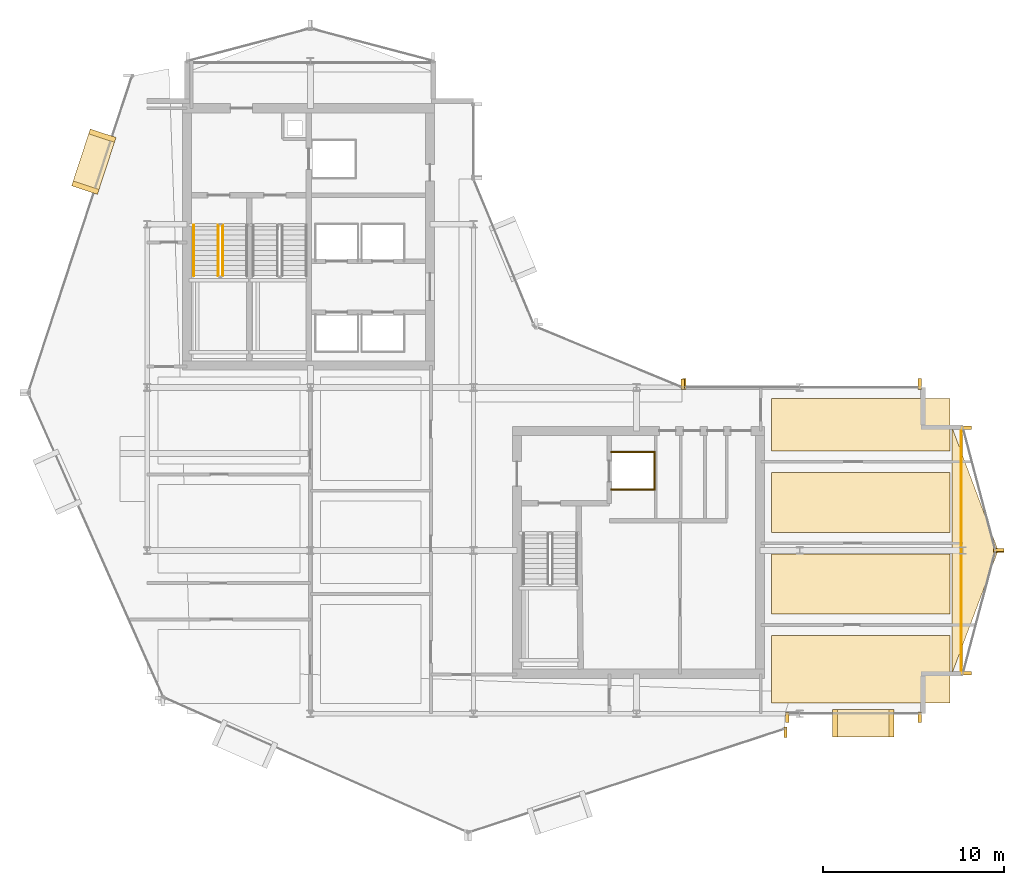
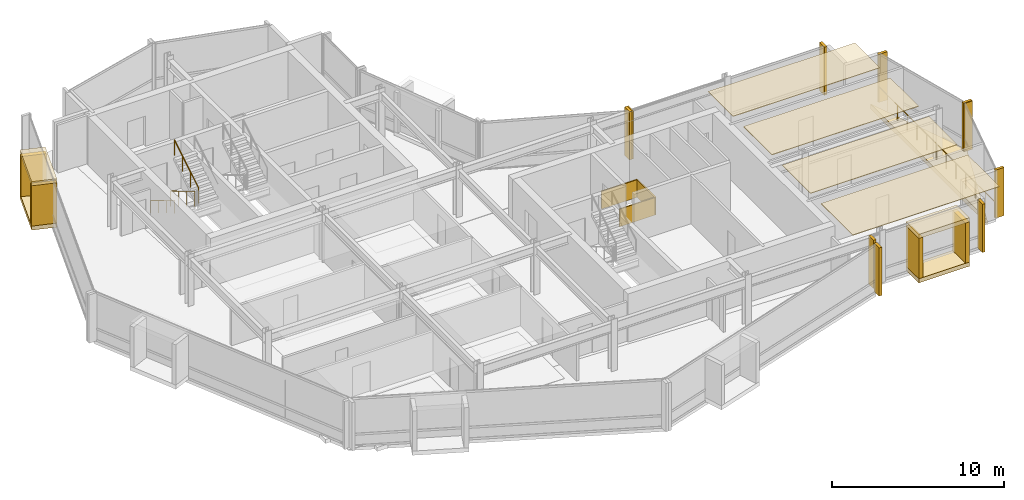
# One storey, part 27 of 28: 26 coverings, 4 railings.
"""IFC4 building model written with IfcOpenShell, lengths in metres."""

from ifc_helpers import new_model, si_unit, direction, frame, origin, origin_2d, place, context, subcontext, project, spatial, polyline, rectangle, circle, outline, extrude, material, layer, layer_set, type_object, element, save


model = new_model("IFC4")

# Units and contexts
model_context = context("Model", 3, precision=1e-05, world=origin(), true_north=direction((0.0, 1.0)))
body_context = subcontext(model_context, "Body", "Model", "MODEL_VIEW")
ifc_project = project(units=[si_unit("LENGTHUNIT", "METRE"), si_unit("AREAUNIT", "SQUARE_METRE"), si_unit("VOLUMEUNIT", "CUBIC_METRE"), si_unit("PLANEANGLEUNIT", "RADIAN"), si_unit("MASSUNIT", "GRAM", prefix="KILO")], contexts=[model_context])

# Site, building, storey
site_placement = place(None, origin())
site = spatial("IfcSite", under=ifc_project, at=site_placement, CompositionType="ELEMENT")
building_placement = place(site_placement, origin())
building = spatial("IfcBuilding", under=site, at=building_placement, Name="Solvaryn Broadcast Tower", CompositionType="ELEMENT")
storey_placement = place(building_placement, frame((0.0, 0.0, 213.60009765625)))
storey = spatial("IfcBuildingStorey", under=building, at=storey_placement, Name="L53", CompositionType="ELEMENT", Elevation=213.60009765625)

# Coverings
ifc_material_1 = material(Name="Micro-Perforated Acoustic Gypsum Ceiling", Category="concrete")
ifc_layer_1 = layer(ifc_material_1, 0.0400390625)
ifc_layer_set_1 = layer_set([ifc_layer_1], Name="CV-CEIL-ACOUSTIC")
covering_type_1 = type_object("IfcCoveringType", Name="CV-CEIL-ACOUSTIC", PredefinedType="CEILING", material=ifc_layer_set_1)
covering_1_placement = place(storey_placement, frame((0.0, 0.0, 3.3798828125)))
element("IfcCovering", 1, at=covering_1_placement, inside=storey, type_object=covering_type_1, Name="L53 Room Acoustic Ceiling 7", PredefinedType="CEILING", context=body_context, shape_type="SweptSolid", body=[
    extrude(outline(polyline([(43.449951171875, 9.60009765625), (53.300048828125, 9.60009765625), (53.300048828125, 13.300048828125), (43.449951171875, 13.300048828125), (43.449951171875, 9.60009765625)])), origin(), (0.0, 0.0, 1.0), 0.0400390625),
])
covering_2_placement = place(storey_placement, frame((0.0, 0.0, 3.3798828125)))
element("IfcCovering", 2, at=covering_2_placement, inside=storey, type_object=covering_type_1, Name="L53 Room Acoustic Ceiling 8", PredefinedType="CEILING", context=body_context, shape_type="SweptSolid", body=[
    extrude(outline(polyline([(43.449951171875, 14.5), (53.300048828125, 14.5), (53.300048828125, 17.800048828125), (43.449951171875, 17.800048828125), (43.449951171875, 14.5)])), origin(), (0.0, 0.0, 1.0), 0.0400390625),
])
covering_3_placement = place(storey_placement, frame((0.0, 0.0, 3.3798828125)))
element("IfcCovering", 3, at=covering_3_placement, inside=storey, type_object=covering_type_1, Name="L53 Room Acoustic Ceiling 9", PredefinedType="CEILING", context=body_context, shape_type="SweptSolid", body=[
    extrude(outline(polyline([(43.449951171875, 19.0), (53.300048828125, 19.0), (53.300048828125, 22.300048828125), (43.449951171875, 22.300048828125), (43.449951171875, 19.0)])), origin(), (0.0, 0.0, 1.0), 0.0400390625),
])
covering_4_placement = place(storey_placement, frame((0.0, 0.0, 3.3798828125)))
element("IfcCovering", 4, at=covering_4_placement, inside=storey, type_object=covering_type_1, Name="L53 Room Acoustic Ceiling 10", PredefinedType="CEILING", context=body_context, shape_type="SweptSolid", body=[
    extrude(outline(polyline([(43.449951171875, 23.5), (53.300048828125, 23.5), (53.300048828125, 26.39990234375), (43.449951171875, 26.39990234375), (43.449951171875, 23.5)])), origin(), (0.0, 0.0, 1.0), 0.0400390625),
])
ifc_material_2 = material(Name="Fire-Rated Gypsum Shaftwall Liner", Category="concrete")
ifc_layer_2 = layer(ifc_material_2, 0.080078125)
ifc_layer_set_2 = layer_set([ifc_layer_2], Name="CV-SHAFT-LINER")
covering_type_2 = type_object("IfcCoveringType", Name="CV-SHAFT-LINER", PredefinedType="CLADDING", material=ifc_layer_set_2)
for number, where, z_axis, x_axis, name in (
    (5, (35.800048828125, 23.43994140625, 0.0), (0.0, 0.0, 1.0), (1.0, 0.0, 0.0), "L53 FL2 Hoistway Shaft Liner North"),
    (6, (35.800048828125, 21.360107421875, 0.0), (0.0, 0.0, 1.0), (1.0, 0.0, 0.0), "L53 FL2 Hoistway Shaft Liner South"),
):
    element("IfcCovering", number, at=place(storey_placement, frame(where, z_axis=z_axis, x_axis=x_axis)), inside=storey, type_object=covering_type_2, Name=name, PredefinedType="CLADDING", context=body_context, shape_type="SweptSolid", body=[
        extrude(rectangle(XDim=2.4599609375, YDim=0.080078125, at=origin_2d()), origin(), (0.0, 0.0, 1.0), 1.25),
    ])
covering_5_placement = place(storey_placement, frame((36.989990234375, 22.39990234375, 0.0), z_axis=(0.0, 0.0, 1.0), x_axis=(1.0, 0.0, 0.0)))
element("IfcCovering", 7, at=covering_5_placement, inside=storey, type_object=covering_type_2, Name="L53 FL2 Hoistway Shaft Liner East", PredefinedType="CLADDING", context=body_context, shape_type="SweptSolid", body=[
    extrude(rectangle(XDim=0.080078125, YDim=2.159912109375, at=origin_2d()), origin(), (0.0, 0.0, 1.0), 1.25),
])
ifc_material_3 = material(Name="Glazed Architectural Terracotta Rainscreen Cladding", Category="masonry")
ifc_layer_3 = layer(ifc_material_3, 0.280029296875)
ifc_layer_set_3 = layer_set([ifc_layer_3], Name="CV-TC-CLAD")
covering_type_3 = type_object("IfcCoveringType", Name="CV-TC-CLAD", PredefinedType="CLADDING", material=ifc_layer_set_3)
for number, where, z_axis, x_axis, name in (
    (8, (6.054931640625, 39.4541015625, 3.1298828125), (0.0, 0.0, 1.0), (-0.311505792684, -0.950244253402, 0.0), "L53 Projecting Stone Window Box Hood 1"),
    (9, (6.054931640625, 39.4541015625, -0.01025390625), (0.0, 0.0, 1.0), (-0.311505792684, -0.950244253402, 0.0), "L53 Projecting Stone Window Box Sill 1"),
):
    element("IfcCovering", number, at=place(storey_placement, frame(where, z_axis=z_axis, x_axis=x_axis)), inside=storey, type_object=covering_type_3, Name=name, PredefinedType="CLADDING", context=body_context, shape_type="SweptSolid", body=[
        extrude(rectangle(XDim=3.300048828125, YDim=1.5, at=origin_2d()), origin(), (0.0, 0.0, 1.0), 0.300048828125),
    ])
for number, where, z_axis, x_axis, name in (
    (10, (6.525390625, 40.888916015625, 0.27978515625), (0.0, 0.0, 1.0), (-0.311505792684, -0.950244253402, 0.0), "L53 Projecting Stone Window Box Cheek 1-1"),
    (11, (5.584716796875, 38.01904296875, 0.27978515625), (0.0, 0.0, 1.0), (-0.311505792684, -0.950244253402, 0.0), "L53 Projecting Stone Window Box Cheek 1-2"),
):
    element("IfcCovering", number, at=place(storey_placement, frame(where, z_axis=z_axis, x_axis=x_axis)), inside=storey, type_object=covering_type_3, Name=name, PredefinedType="CLADDING", context=body_context, shape_type="SweptSolid", body=[
        extrude(rectangle(XDim=0.280029296875, YDim=1.5, at=origin_2d()), origin(), (0.0, 0.0, 1.0), 2.860107421875),
    ])
for number, where, z_axis, x_axis, name in (
    (12, (48.5, 8.469970703125, 3.1298828125), (0.0, 0.0, 1.0), (1.0, 0.0, 0.0), "L53 Projecting Stone Window Box Hood 6"),
    (13, (48.5, 8.469970703125, -0.01025390625), (0.0, 0.0, 1.0), (1.0, 0.0, 0.0), "L53 Projecting Stone Window Box Sill 6"),
):
    element("IfcCovering", number, at=place(storey_placement, frame(where, z_axis=z_axis, x_axis=x_axis)), inside=storey, type_object=covering_type_3, Name=name, PredefinedType="CLADDING", context=body_context, shape_type="SweptSolid", body=[
        extrude(rectangle(XDim=3.39990234375, YDim=1.5, at=origin_2d()), origin(), (0.0, 0.0, 1.0), 0.300048828125),
    ])
for number, where, z_axis, x_axis, name in (
    (14, (46.93994140625, 8.469970703125, 0.27978515625), (0.0, 0.0, 1.0), (1.0, 0.0, 0.0), "L53 Projecting Stone Window Box Cheek 6-1"),
    (15, (50.06005859375, 8.469970703125, 0.27978515625), (0.0, 0.0, 1.0), (1.0, 0.0, 0.0), "L53 Projecting Stone Window Box Cheek 6-2"),
):
    element("IfcCovering", number, at=place(storey_placement, frame(where, z_axis=z_axis, x_axis=x_axis)), inside=storey, type_object=covering_type_3, Name=name, PredefinedType="CLADDING", context=body_context, shape_type="SweptSolid", body=[
        extrude(rectangle(XDim=0.280029296875, YDim=1.5, at=origin_2d()), origin(), (0.0, 0.0, 1.0), 2.860107421875),
    ])
ifc_material_4 = material(Name="Extruded Architectural Terracotta Fin", Category="masonry")
ifc_layer_4 = layer(ifc_material_4, 0.179931640625)
ifc_layer_set_4 = layer_set([ifc_layer_4], Name="CV-TC-FIN")
covering_type_4 = type_object("IfcCoveringType", Name="CV-TC-FIN", PredefinedType="USERDEFINED", material=ifc_layer_set_4)
for number, where, z_axis, x_axis, name in (
    (16, (44.209716796875, 7.982666015625, 0.0), (0.0, 0.0, 1.0), (1.0, 0.0, 0.0), "L53 Terracotta Vertical Fin FIN-L53-DR4-M01"),
    (17, (38.541259765625, 27.177978515625, 0.0), (0.0, 0.0, 1.0), (1.0, 0.0, 0.0), "L53 Terracotta Vertical Fin FIN-L53-CN1-M00"),
    (18, (44.31201171875, 8.8125, 0.0), (0.0, 0.0, 1.0), (1.0, 0.0, 0.0), "L53 Terracotta Vertical Fin FIN-L53-S2-M00"),
    (19, (51.6201171875, 8.8125, 0.0), (0.0, 0.0, 1.0), (1.0, 0.0, 0.0), "L53 Terracotta Vertical Fin FIN-L53-S2-M01"),
):
    element("IfcCovering", number, at=place(storey_placement, frame(where, z_axis=z_axis, x_axis=x_axis)), inside=storey, type_object=covering_type_4, Name=name, ObjectType="FIN", PredefinedType="USERDEFINED", context=body_context, shape_type="SweptSolid", body=[
        extrude(rectangle(XDim=0.179931640625, YDim=0.580078125, at=origin_2d()), origin(), (0.0, 0.0, 1.0), 3.419921875),
    ])
for number, where, z_axis, x_axis, name in (
    (20, (54.1953125, 24.77099609375, 0.0), (0.0, 0.0, 1.0), (1.0, 0.0, 0.0), "L53 Terracotta Vertical Fin FIN-L53-ET1-M00"),
    (21, (55.979736328125, 18.029052734375, 0.0), (0.0, 0.0, 1.0), (1.0, 0.0, 0.0), "L53 Terracotta Vertical Fin FIN-L53-ET1-M01"),
    (22, (55.979736328125, 17.970947265625, 0.0), (0.0, 0.0, 1.0), (1.0, 0.0, 0.0), "L53 Terracotta Vertical Fin FIN-L53-ET2-M00"),
    (23, (54.1953125, 11.22900390625, 0.0), (0.0, 0.0, 1.0), (1.0, 0.0, 0.0), "L53 Terracotta Vertical Fin FIN-L53-ET2-M01"),
):
    element("IfcCovering", number, at=place(storey_placement, frame(where, z_axis=z_axis, x_axis=x_axis)), inside=storey, type_object=covering_type_4, Name=name, ObjectType="FIN", PredefinedType="USERDEFINED", context=body_context, shape_type="SweptSolid", body=[
        extrude(rectangle(XDim=0.580078125, YDim=0.179931640625, at=origin_2d()), origin(), (0.0, 0.0, 1.0), 3.419921875),
    ])
for number, where, z_axis, x_axis, name in (
    (24, (38.6298828125, 27.1875, 0.0), (0.0, 0.0, 1.0), (1.0, 0.0, 0.0), "L53 Terracotta Vertical Fin FIN-L53-IH-M00"),
    (25, (51.6201171875, 27.1875, 0.0), (0.0, 0.0, 1.0), (1.0, 0.0, 0.0), "L53 Terracotta Vertical Fin FIN-L53-IH-M01"),
):
    element("IfcCovering", number, at=place(storey_placement, frame(where, z_axis=z_axis, x_axis=x_axis)), inside=storey, type_object=covering_type_4, Name=name, ObjectType="FIN", PredefinedType="USERDEFINED", context=body_context, shape_type="SweptSolid", body=[
        extrude(rectangle(XDim=0.179931640625, YDim=0.580078125, at=origin_2d()), origin(), (0.0, 0.0, 1.0), 3.419921875),
    ])
ifc_material_5 = material(Name="Sculpted Architectural Terracotta Wave Fascia", Category="masonry")
ifc_layer_5 = layer(ifc_material_5, 0.340087890625)
ifc_layer_set_5 = layer_set([ifc_layer_5], Name="CV-WAVE-TRAY")
covering_type_5 = type_object("IfcCoveringType", Name="CV-WAVE-TRAY", PredefinedType="CLADDING", material=ifc_layer_set_5)
covering_6_placement = place(storey_placement, frame((0.0, 0.0, -0.300048828125)))
element("IfcCovering", 26, at=covering_6_placement, inside=storey, type_object=covering_type_5, Name="L53 East Curved Wing Deck", PredefinedType="CLADDING", context=body_context, shape_type="SweptSolid", body=[
    extrude(outline(polyline([(53.39990234375, 11.199951171875), (55.949951171875, 18.0), (53.39990234375, 24.800048828125), (53.39990234375, 11.199951171875)])), origin(), (0.0, 0.0, 1.0), 0.329833984375),
])

# Railings
ifc_material_6 = material(Name="Painted Steel Stair Well Guard", Category="steel")
railing_type_1 = type_object("IfcRailingType", Name="RL-STAIR-GUARD", PredefinedType="BALUSTRADE", material=ifc_material_6)
railing_1_placement = place(storey_placement, frame((12.909912109375, 35.9599609375, 0.16796875)))
element("IfcRailing", 27, at=railing_1_placement, inside=storey, type_object=railing_type_1, Name="L53 ST1 stair guard 1", PredefinedType="BALUSTRADE", context=body_context, shape_type="SweptSolid", body=[
    extrude(circle(Radius=0.02392578125, at=origin_2d()), frame((0.0, 0.0, 1.076171875), z_axis=(0.0, -0.857242210791, 0.514913383045), x_axis=(1.0, 0.0, 0.0)), (0.0, 0.0, 1.0), 3.266357421875),
    extrude(circle(Radius=0.02099609375, at=origin_2d()), origin(), (0.0, 0.0, 1.0), 1.052001953125),
    extrude(circle(Radius=0.02099609375, at=origin_2d()), frame((0.0, -0.933349609375, 0.560546875)), (0.0, 0.0, 1.0), 1.052001953125),
    extrude(circle(Radius=0.02099609375, at=origin_2d()), frame((0.0, -1.86669921875, 1.121337890625)), (0.0, 0.0, 1.0), 1.052001953125),
    extrude(circle(Radius=0.02099609375, at=origin_2d()), frame((0.0, -2.800048828125, 1.681884765625)), (0.0, 0.0, 1.0), 1.052001953125),
])
railing_2_placement = place(storey_placement, frame((13.159912109375, 33.159912109375, 2.01806640625)))
element("IfcRailing", 28, at=railing_2_placement, inside=storey, type_object=railing_type_1, Name="L53 ST1 stair guard 3", PredefinedType="BALUSTRADE", context=body_context, shape_type="SweptSolid", body=[
    extrude(circle(Radius=0.02392578125, at=origin_2d()), frame((0.0, 0.0, 1.076171875), z_axis=(0.0, 0.857242210791, 0.514913383045), x_axis=(-1.0, 0.0, 0.0)), (0.0, 0.0, 1.0), 3.266357421875),
    extrude(circle(Radius=0.02099609375, at=origin_2d()), origin(), (0.0, 0.0, 1.0), 1.052001953125),
    extrude(circle(Radius=0.02099609375, at=origin_2d()), frame((0.0, 0.933349609375, 0.560546875)), (0.0, 0.0, 1.0), 1.052001953125),
    extrude(circle(Radius=0.02099609375, at=origin_2d()), frame((0.0, 1.86669921875, 1.121337890625)), (0.0, 0.0, 1.0), 1.052001953125),
    extrude(circle(Radius=0.02099609375, at=origin_2d()), frame((0.0, 2.800048828125, 1.681884765625)), (0.0, 0.0, 1.0), 1.052001953125),
])
ifc_material_7 = material(Name="Brushed Stainless Steel Tubular Handrail", Category="steel")
railing_type_2 = type_object("IfcRailingType", Name="RL-STAIR-HANDRAIL", PredefinedType="HANDRAIL", material=ifc_material_7)
railing_3_placement = place(storey_placement, frame((11.570068359375, 35.9599609375, 0.16796875)))
element("IfcRailing", 29, at=railing_3_placement, inside=storey, type_object=railing_type_2, Name="L53 ST1 stair handrail 1", PredefinedType="HANDRAIL", context=body_context, shape_type="SweptSolid", body=[
    extrude(circle(Radius=0.02392578125, at=origin_2d()), frame((0.0, 0.0, 0.8759765625), z_axis=(0.0, -0.857242210791, 0.514913383045), x_axis=(1.0, 0.0, 0.0)), (0.0, 0.0, 1.0), 3.266357421875),
    extrude(circle(Radius=0.02099609375, at=origin_2d()), origin(), (0.0, 0.0, 1.0), 0.851806640625),
    extrude(circle(Radius=0.02099609375, at=origin_2d()), frame((0.0, -0.933349609375, 0.560546875)), (0.0, 0.0, 1.0), 0.851806640625),
    extrude(circle(Radius=0.02099609375, at=origin_2d()), frame((0.0, -1.86669921875, 1.121337890625)), (0.0, 0.0, 1.0), 0.851806640625),
    extrude(circle(Radius=0.02099609375, at=origin_2d()), frame((0.0, -2.800048828125, 1.681884765625)), (0.0, 0.0, 1.0), 0.851806640625),
])
ifc_material_8 = material(Name="Stainless Steel and Laminated Glass Guard", Category="steel")
railing_type_3 = type_object("IfcRailingType", Name="RL-TER-1150", PredefinedType="BALUSTRADE", material=ifc_material_8)
railing_4_placement = place(storey_placement, frame((53.919921875, 11.199951171875, 0.0)))
element("IfcRailing", 30, at=railing_4_placement, inside=storey, type_object=railing_type_3, Name="L53 East Wing Spandrel Edge Guard", PredefinedType="BALUSTRADE", context=body_context, shape_type="SweptSolid", body=[
    extrude(circle(Radius=0.02392578125, at=origin_2d()), frame((0.0, 0.0, 1.1259765625), z_axis=(0.0, 1.0, 0.0), x_axis=(-1.0, 0.0, 0.0)), (0.0, 0.0, 1.0), 13.60009765625),
    extrude(circle(Radius=0.02099609375, at=origin_2d()), origin(), (0.0, 0.0, 1.0), 1.101806640625),
    extrude(circle(Radius=0.02099609375, at=origin_2d()), frame((0.0, 1.13330078125, 0.0)), (0.0, 0.0, 1.0), 1.101806640625),
    extrude(circle(Radius=0.02099609375, at=origin_2d()), frame((0.0, 2.2666015625, 0.0)), (0.0, 0.0, 1.0), 1.101806640625),
    extrude(circle(Radius=0.02099609375, at=origin_2d()), frame((0.0, 3.39990234375, 0.0)), (0.0, 0.0, 1.0), 1.101806640625),
    extrude(circle(Radius=0.02099609375, at=origin_2d()), frame((0.0, 4.533447265625, 0.0)), (0.0, 0.0, 1.0), 1.101806640625),
    extrude(circle(Radius=0.02099609375, at=origin_2d()), frame((0.0, 5.666748046875, 0.0)), (0.0, 0.0, 1.0), 1.101806640625),
    extrude(circle(Radius=0.02099609375, at=origin_2d()), frame((0.0, 6.800048828125, 0.0)), (0.0, 0.0, 1.0), 1.101806640625),
    extrude(circle(Radius=0.02099609375, at=origin_2d()), frame((0.0, 7.933349609375, 0.0)), (0.0, 0.0, 1.0), 1.101806640625),
    extrude(circle(Radius=0.02099609375, at=origin_2d()), frame((0.0, 9.066650390625, 0.0)), (0.0, 0.0, 1.0), 1.101806640625),
    extrude(circle(Radius=0.02099609375, at=origin_2d()), frame((0.0, 10.2001953125, 0.0)), (0.0, 0.0, 1.0), 1.101806640625),
    extrude(circle(Radius=0.02099609375, at=origin_2d()), frame((0.0, 11.33349609375, 0.0)), (0.0, 0.0, 1.0), 1.101806640625),
    extrude(circle(Radius=0.02099609375, at=origin_2d()), frame((0.0, 12.466796875, 0.0)), (0.0, 0.0, 1.0), 1.101806640625),
    extrude(circle(Radius=0.02099609375, at=origin_2d()), frame((0.0, 13.60009765625, 0.0)), (0.0, 0.0, 1.0), 1.101806640625),
])

save(model, "model.ifc")
